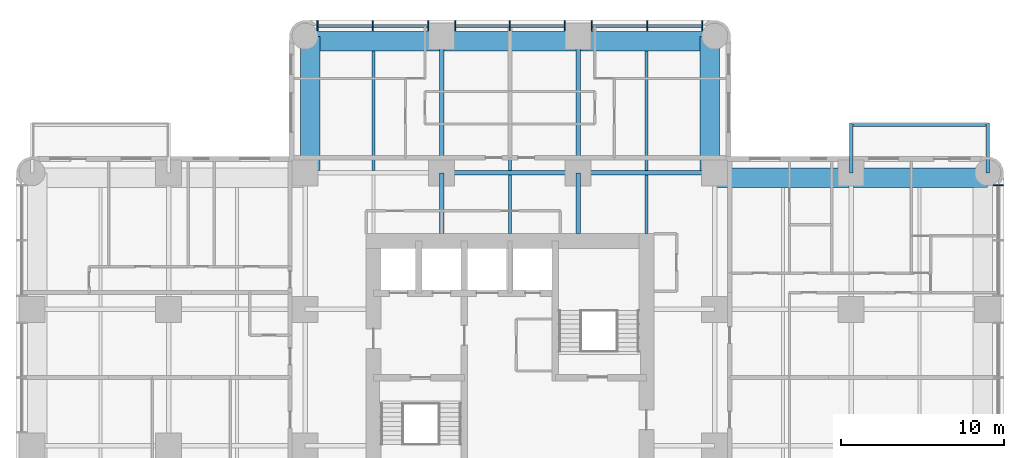
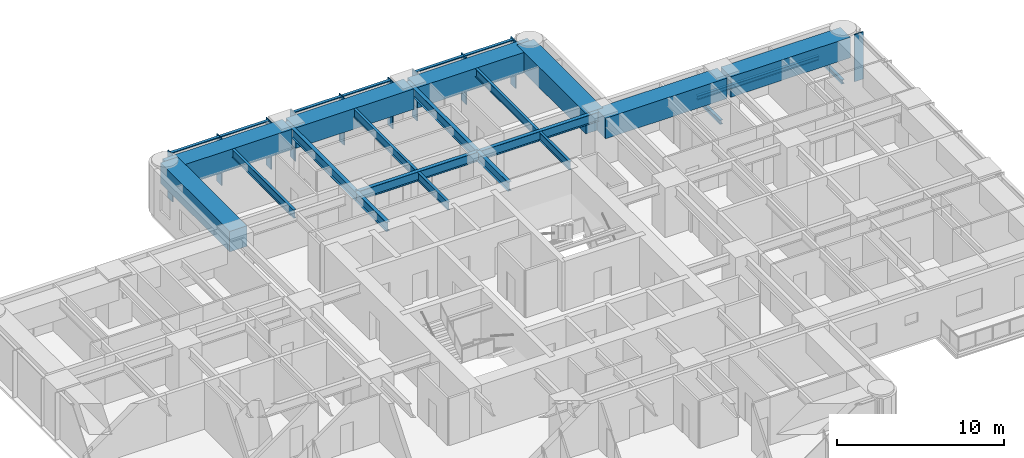
# One storey, part 4 of 15: 21 beams, 16 members, 2 elements without a shape of their own.
"""IFC4 building model written with IfcOpenShell, lengths in metres."""

from ifc_helpers import new_model, si_unit, direction, frame, origin, origin_2d, place, context, subcontext, project, spatial, rectangle, i_section, extrude, material, material_profile, profile_set, type_object, element, aggregate, save


model = new_model("IFC4")

# Units and contexts
model_context = context("Model", 3, precision=1e-05, world=origin(), true_north=direction((0.0, 1.0)))
body_context = subcontext(model_context, "Body", "Model", "MODEL_VIEW")
ifc_project = project(units=[si_unit("LENGTHUNIT", "METRE"), si_unit("AREAUNIT", "SQUARE_METRE"), si_unit("VOLUMEUNIT", "CUBIC_METRE"), si_unit("PLANEANGLEUNIT", "RADIAN"), si_unit("MASSUNIT", "GRAM", prefix="KILO")], contexts=[model_context])

# Site, building, storey
site_placement = place(None, origin())
site = spatial("IfcSite", under=ifc_project, at=site_placement, CompositionType="ELEMENT")
building_placement = place(site_placement, origin())
building = spatial("IfcBuilding", under=site, at=building_placement, Name="Torre Alcanfor", CompositionType="ELEMENT")
storey_placement = place(building_placement, frame((0.0, 0.0, 116.10009765625)))
storey = spatial("IfcBuildingStorey", under=building, at=storey_placement, Name="L29", CompositionType="ELEMENT", Elevation=116.10009765625)

# Beams
ifc_material_1 = material(Name="Steel ASTM A992 Grade 50", Category="steel")
ifc_material_profile_1 = material_profile(ifc_material_1, i_section(OverallWidth=0.205322265625, OverallDepth=0.309814453125, WebThickness=0.00927734375, FlangeThickness=0.016357421875, at=origin_2d()), Name="W12x50")
ifc_profile_set_1 = profile_set([ifc_material_profile_1], Name="Steel ASTM A992 Grade 50")
beam_type_1 = type_object("IfcBeamType", Name="Balcony cantilever beam W12x50", PredefinedType="BEAM", material=ifc_profile_set_1)
for number, where, z_axis, x_axis, name in (
    (1, (50.39990234375, 42.0, -0.35498046875), (0.0, 1.0, 0.0), (-1.0, 0.0, 0.0), "Balcony cantilever beam L29-E1 1"),
    (2, (58.800048828125, 42.0, -0.35498046875), (0.0, 1.0, 0.0), (-1.0, 0.0, 0.0), "Balcony cantilever beam L29-E1 2"),
):
    element("IfcBeam", number, at=place(storey_placement, frame(where, z_axis=z_axis, x_axis=x_axis)), inside=storey, type_object=beam_type_1, Name=name, PredefinedType="BEAM", context=body_context, shape_type="SweptSolid", body=[
        extrude(i_section(OverallWidth=0.205322265625, OverallDepth=0.309814453125, WebThickness=0.00927734375, FlangeThickness=0.016357421875, at=origin_2d()), origin(), (0.0, 0.0, 1.0), 3.050048828125),
    ])
ifc_material_2 = material(Name="Steel ASTM A992 Grade 50", Category="steel")
ifc_material_profile_2 = material_profile(ifc_material_2, i_section(OverallWidth=0.203369140625, OverallDepth=0.30224609375, WebThickness=0.007568359375, FlangeThickness=0.01318359375, at=origin_2d()), Name="W12x40")
ifc_profile_set_2 = profile_set([ifc_material_profile_2], Name="Steel ASTM A992 Grade 50")
beam_type_2 = type_object("IfcBeamType", Name="Balcony edge trimmer W12x40", PredefinedType="BEAM", material=ifc_profile_set_2)
beam_1_placement = place(storey_placement, frame((50.39990234375, 44.9482421875, -0.351318359375), z_axis=(1.0, 0.0, 0.0), x_axis=(0.0, 1.0, 0.0)))
element("IfcBeam", 3, at=beam_1_placement, inside=storey, type_object=beam_type_2, Name="Balcony edge trimmer L29-E1", PredefinedType="BEAM", context=body_context, shape_type="SweptSolid", body=[
    extrude(i_section(OverallWidth=0.203369140625, OverallDepth=0.30224609375, WebThickness=0.007568359375, FlangeThickness=0.01318359375, at=origin_2d()), origin(), (0.0, 0.0, 1.0), 8.400146484375),
])

# Curtain wall, member
ifc_material_3 = material(Name="Aluminium and glass", Category="aluminium")
curtain_wall_type = type_object("IfcCurtainWallType", Name="CW-A unitised apartment glazing with vertical FIN", PredefinedType="NOTDEFINED", material=ifc_material_3)
curtain_wall_1_placement = place(storey_placement, origin())
curtain_wall_1 = element("IfcCurtainWall", 4, at=curtain_wall_1_placement, inside=storey, type_object=curtain_wall_type, Name="Curtain wall CW-A L29 8", PredefinedType="NOTDEFINED")
ifc_material_4 = material(Name="Bronze anodised aluminium", Category="aluminium")
ifc_material_profile_3 = material_profile(ifc_material_4, rectangle(XDim=0.60009765625, YDim=0.06494140625, at=origin_2d()), Name="CW-A mullion 65x600")
ifc_profile_set_3 = profile_set([ifc_material_profile_3], Name="Bronze anodised aluminium")
member_type_1 = type_object("IfcMemberType", Name="CW-A mullion with vertical FIN 65x600", PredefinedType="MULLION", material=ifc_profile_set_3)
member_1_placement = place(storey_placement, frame((59.449951171875, 41.24267578125, 0.0), z_axis=(0.0, 0.0, 1.0), x_axis=(-1.0, 0.0, 0.0)))
member_1 = element("IfcMember", 5, at=member_1_placement, type_object=member_type_1, Name="CW-A mullion 3.3", PredefinedType="MULLION", context=body_context, shape_type="SweptSolid", body=[
    extrude(rectangle(XDim=0.60009765625, YDim=0.06494140625, at=origin_2d()), origin(), (0.0, 0.0, 1.0), 3.449951171875),
])
aggregate(curtain_wall_1, [member_1])

# Curtain wall, members
curtain_wall_2_placement = place(storey_placement, origin())
curtain_wall_2 = element("IfcCurtainWall", 6, at=curtain_wall_2_placement, inside=storey, type_object=curtain_wall_type, Name="Curtain wall CW-A L29 11", PredefinedType="NOTDEFINED")
member_2_placement = place(storey_placement, frame((41.24267578125, 51.050048828125, 0.0), z_axis=(0.0, 0.0, 1.0), x_axis=(0.0, -1.0, 0.0)))
member_2 = element("IfcMember", 7, at=member_2_placement, type_object=member_type_1, Name="CW-A mullion 1.1", PredefinedType="MULLION", context=body_context, shape_type="SweptSolid", body=[
    extrude(rectangle(XDim=0.60009765625, YDim=0.06494140625, at=origin_2d()), origin(), (0.0, 0.0, 1.0), 3.449951171875),
])
member_3_placement = place(storey_placement, frame((37.840087890625, 51.050048828125, 0.0), z_axis=(0.0, 0.0, 1.0), x_axis=(0.0, -1.0, 0.0)))
member_3 = element("IfcMember", 8, at=member_3_placement, type_object=member_type_1, Name="CW-A mullion 1.2", PredefinedType="MULLION", context=body_context, shape_type="SweptSolid", body=[
    extrude(rectangle(XDim=0.60009765625, YDim=0.06494140625, at=origin_2d()), origin(), (0.0, 0.0, 1.0), 3.449951171875),
])
member_4_placement = place(storey_placement, frame((34.4375, 51.050048828125, 0.0), z_axis=(0.0, 0.0, 1.0), x_axis=(0.0, -1.0, 0.0)))
member_4 = element("IfcMember", 9, at=member_4_placement, type_object=member_type_1, Name="CW-A mullion 1.3", PredefinedType="MULLION", context=body_context, shape_type="SweptSolid", body=[
    extrude(rectangle(XDim=0.60009765625, YDim=0.06494140625, at=origin_2d()), origin(), (0.0, 0.0, 1.0), 3.449951171875),
])
member_5_placement = place(storey_placement, frame((32.762451171875, 51.050048828125, 0.0), z_axis=(0.0, 0.0, 1.0), x_axis=(0.0, -1.0, 0.0)))
member_5 = element("IfcMember", 10, at=member_5_placement, type_object=member_type_1, Name="CW-A mullion 2.1", PredefinedType="MULLION", context=body_context, shape_type="SweptSolid", body=[
    extrude(rectangle(XDim=0.60009765625, YDim=0.06494140625, at=origin_2d()), origin(), (0.0, 0.0, 1.0), 3.449951171875),
])
member_6_placement = place(storey_placement, frame((29.39990234375, 51.050048828125, 0.0), z_axis=(0.0, 0.0, 1.0), x_axis=(0.0, -1.0, 0.0)))
member_6 = element("IfcMember", 11, at=member_6_placement, type_object=member_type_1, Name="CW-A mullion 2.2", PredefinedType="MULLION", context=body_context, shape_type="SweptSolid", body=[
    extrude(rectangle(XDim=0.60009765625, YDim=0.06494140625, at=origin_2d()), origin(), (0.0, 0.0, 1.0), 3.449951171875),
])
member_7_placement = place(storey_placement, frame((26.03759765625, 51.050048828125, 0.0), z_axis=(0.0, 0.0, 1.0), x_axis=(0.0, -1.0, 0.0)))
member_7 = element("IfcMember", 12, at=member_7_placement, type_object=member_type_1, Name="CW-A mullion 2.3", PredefinedType="MULLION", context=body_context, shape_type="SweptSolid", body=[
    extrude(rectangle(XDim=0.60009765625, YDim=0.06494140625, at=origin_2d()), origin(), (0.0, 0.0, 1.0), 3.449951171875),
])
member_8_placement = place(storey_placement, frame((24.362548828125, 51.050048828125, 0.0), z_axis=(0.0, 0.0, 1.0), x_axis=(0.0, -1.0, 0.0)))
member_8 = element("IfcMember", 13, at=member_8_placement, type_object=member_type_1, Name="CW-A mullion 3.1", PredefinedType="MULLION", context=body_context, shape_type="SweptSolid", body=[
    extrude(rectangle(XDim=0.60009765625, YDim=0.06494140625, at=origin_2d()), origin(), (0.0, 0.0, 1.0), 3.449951171875),
])
member_9_placement = place(storey_placement, frame((20.9599609375, 51.050048828125, 0.0), z_axis=(0.0, 0.0, 1.0), x_axis=(0.0, -1.0, 0.0)))
member_9 = element("IfcMember", 14, at=member_9_placement, type_object=member_type_1, Name="CW-A mullion 3.2", PredefinedType="MULLION", context=body_context, shape_type="SweptSolid", body=[
    extrude(rectangle(XDim=0.60009765625, YDim=0.06494140625, at=origin_2d()), origin(), (0.0, 0.0, 1.0), 3.449951171875),
])
member_10_placement = place(storey_placement, frame((17.557373046875, 51.050048828125, 0.0), z_axis=(0.0, 0.0, 1.0), x_axis=(0.0, -1.0, 0.0)))
member_10 = element("IfcMember", 15, at=member_10_placement, type_object=member_type_1, Name="CW-A mullion 3.3", PredefinedType="MULLION", context=body_context, shape_type="SweptSolid", body=[
    extrude(rectangle(XDim=0.60009765625, YDim=0.06494140625, at=origin_2d()), origin(), (0.0, 0.0, 1.0), 3.449951171875),
])
ifc_material_5 = material(Name="Extruded aluminium", Category="aluminium")
ifc_material_profile_4 = material_profile(ifc_material_5, rectangle(XDim=0.199951171875, YDim=0.06494140625, at=origin_2d()), Name="CW-A transom 200x65")
ifc_profile_set_4 = profile_set([ifc_material_profile_4], Name="Extruded aluminium")
member_type_2 = type_object("IfcMemberType", Name="CW-A transom 65x200", PredefinedType="USERDEFINED", material=ifc_profile_set_4)
member_11_placement = place(storey_placement, frame((41.210205078125, 51.050048828125, 3.41748046875), z_axis=(-1.0, 0.0, 0.0), x_axis=(0.0, -1.0, 0.0)))
member_11 = element("IfcMember", 16, at=member_11_placement, type_object=member_type_2, Name="CW-A transom 1.1.2", ObjectType="TRANSOM", PredefinedType="USERDEFINED", context=body_context, shape_type="SweptSolid", body=[
    extrude(rectangle(XDim=0.199951171875, YDim=0.06494140625, at=origin_2d()), origin(), (0.0, 0.0, 1.0), 3.337646484375),
])
member_12_placement = place(storey_placement, frame((37.8076171875, 51.050048828125, 3.41748046875), z_axis=(-1.0, 0.0, 0.0), x_axis=(0.0, -1.0, 0.0)))
member_12 = element("IfcMember", 17, at=member_12_placement, type_object=member_type_2, Name="CW-A transom 1.2.2", ObjectType="TRANSOM", PredefinedType="USERDEFINED", context=body_context, shape_type="SweptSolid", body=[
    extrude(rectangle(XDim=0.199951171875, YDim=0.06494140625, at=origin_2d()), origin(), (0.0, 0.0, 1.0), 3.337646484375),
])
member_13_placement = place(storey_placement, frame((32.72998046875, 51.050048828125, 3.41748046875), z_axis=(-1.0, 0.0, 0.0), x_axis=(0.0, -1.0, 0.0)))
member_13 = element("IfcMember", 18, at=member_13_placement, type_object=member_type_2, Name="CW-A transom 2.1.2", ObjectType="TRANSOM", PredefinedType="USERDEFINED", context=body_context, shape_type="SweptSolid", body=[
    extrude(rectangle(XDim=0.199951171875, YDim=0.06494140625, at=origin_2d()), origin(), (0.0, 0.0, 1.0), 3.29736328125),
])
member_14_placement = place(storey_placement, frame((29.367431640625, 51.050048828125, 3.41748046875), z_axis=(-1.0, 0.0, 0.0), x_axis=(0.0, -1.0, 0.0)))
member_14 = element("IfcMember", 19, at=member_14_placement, type_object=member_type_2, Name="CW-A transom 2.2.2", ObjectType="TRANSOM", PredefinedType="USERDEFINED", context=body_context, shape_type="SweptSolid", body=[
    extrude(rectangle(XDim=0.199951171875, YDim=0.06494140625, at=origin_2d()), origin(), (0.0, 0.0, 1.0), 3.29736328125),
])
member_15_placement = place(storey_placement, frame((24.330078125, 51.050048828125, 3.41748046875), z_axis=(-1.0, 0.0, 0.0), x_axis=(0.0, -1.0, 0.0)))
member_15 = element("IfcMember", 20, at=member_15_placement, type_object=member_type_2, Name="CW-A transom 3.1.2", ObjectType="TRANSOM", PredefinedType="USERDEFINED", context=body_context, shape_type="SweptSolid", body=[
    extrude(rectangle(XDim=0.199951171875, YDim=0.06494140625, at=origin_2d()), origin(), (0.0, 0.0, 1.0), 3.337646484375),
])
member_16_placement = place(storey_placement, frame((20.927490234375, 51.050048828125, 3.41748046875), z_axis=(-1.0, 0.0, 0.0), x_axis=(0.0, -1.0, 0.0)))
member_16 = element("IfcMember", 21, at=member_16_placement, type_object=member_type_2, Name="CW-A transom 3.2.2", ObjectType="TRANSOM", PredefinedType="USERDEFINED", context=body_context, shape_type="SweptSolid", body=[
    extrude(rectangle(XDim=0.199951171875, YDim=0.06494140625, at=origin_2d()), origin(), (0.0, 0.0, 1.0), 3.337646484375),
])
aggregate(curtain_wall_2, [member_2, member_3, member_4, member_11, member_12, member_5, member_6, member_7, member_13, member_14, member_8, member_9, member_10, member_15, member_16])

# Beams
ifc_material_6 = material(Name="Steel ASTM A992 Grade 50", Category="steel")
ifc_material_profile_5 = material_profile(ifc_material_6, i_section(OverallWidth=0.25390625, OverallDepth=0.683349609375, WebThickness=0.012451171875, FlangeThickness=0.01904296875, at=origin_2d()), Name="W27x94")
ifc_profile_set_5 = profile_set([ifc_material_profile_5], Name="Steel ASTM A992 Grade 50")
beam_type_3 = type_object("IfcBeamType", Name="Girder W27x94", PredefinedType="BEAM", material=ifc_profile_set_5)
beam_2_placement = place(storey_placement, frame((25.199951171875, 42.0, 3.108154296875), z_axis=(1.0, 0.0, 0.0), x_axis=(0.0, 1.0, 0.0)))
element("IfcBeam", 22, at=beam_2_placement, inside=storey, type_object=beam_type_3, Name="Beam 4H-5H under L30", PredefinedType="BEAM", context=body_context, shape_type="SweptSolid", body=[
    extrude(i_section(OverallWidth=0.25390625, OverallDepth=0.683349609375, WebThickness=0.012451171875, FlangeThickness=0.01904296875, at=origin_2d()), origin(), (0.0, 0.0, 1.0), 8.400146484375),
])
for number, where, z_axis, x_axis, name in (
    (23, (33.60009765625, 42.0, 3.108154296875), (1.0, 0.0, 0.0), (0.0, 1.0, 0.0), "Beam 5H-6H under L30"),
    (24, (25.199951171875, 42.0, 3.108154296875), (0.0, 1.0, 0.0), (-1.0, 0.0, 0.0), "Beam 4H-4J under L30"),
    (25, (33.60009765625, 42.0, 3.108154296875), (0.0, 1.0, 0.0), (-1.0, 0.0, 0.0), "Beam 5H-5J under L30"),
):
    element("IfcBeam", number, at=place(storey_placement, frame(where, z_axis=z_axis, x_axis=x_axis)), inside=storey, type_object=beam_type_3, Name=name, PredefinedType="BEAM", context=body_context, shape_type="SweptSolid", body=[
        extrude(i_section(OverallWidth=0.25390625, OverallDepth=0.683349609375, WebThickness=0.012451171875, FlangeThickness=0.01904296875, at=origin_2d()), origin(), (0.0, 0.0, 1.0), 8.39990234375),
    ])
ifc_material_7 = material(Name="Steel ASTM A992 Grade 50", Category="steel")
ifc_material_profile_6 = material_profile(ifc_material_7, i_section(OverallWidth=0.25390625, OverallDepth=0.683349609375, WebThickness=0.012451171875, FlangeThickness=0.01904296875, at=origin_2d()), Name="W27x94")
ifc_profile_set_6 = profile_set([ifc_material_profile_6], Name="Steel ASTM A992 Grade 50")
beam_type_4 = type_object("IfcBeamType", Name="Girder, part bay W27x94", PredefinedType="BEAM", material=ifc_profile_set_6)
for number, where, z_axis, x_axis, name in (
    (26, (25.199951171875, 42.0, 3.108154296875), (0.0, -1.0, 0.0), (1.0, 0.0, 0.0), "Beam 4H-438_25 under L30"),
    (27, (33.60009765625, 42.0, 3.108154296875), (0.0, -1.0, 0.0), (1.0, 0.0, 0.0), "Beam 5H-538_25 under L30"),
):
    element("IfcBeam", number, at=place(storey_placement, frame(where, z_axis=z_axis, x_axis=x_axis)), inside=storey, type_object=beam_type_4, Name=name, PredefinedType="BEAM", context=body_context, shape_type="SweptSolid", body=[
        extrude(i_section(OverallWidth=0.25390625, OverallDepth=0.683349609375, WebThickness=0.012451171875, FlangeThickness=0.01904296875, at=origin_2d()), origin(), (0.0, 0.0, 1.0), 3.75),
    ])
ifc_material_8 = material(Name="Concrete f'c 70 MPa", Category="concrete")
ifc_material_profile_7 = material_profile(ifc_material_8, rectangle(XDim=1.199951171875, YDim=1.5, at=origin_2d()), Name="1200x1500")
ifc_profile_set_7 = profile_set([ifc_material_profile_7], Name="Concrete f'c 70 MPa")
beam_type_5 = type_object("IfcBeamType", Name="RC perimeter beam 1200x1500", PredefinedType="BEAM", material=ifc_profile_set_7)
beam_3_placement = place(storey_placement, frame((41.873046875, 41.699951171875, 2.699951171875), z_axis=(1.0, 0.0, 0.0), x_axis=(0.0, 1.0, 0.0)))
element("IfcBeam", 28, at=beam_3_placement, inside=storey, type_object=beam_type_5, Name="Beam 6H-7H under L30", PredefinedType="BEAM", context=body_context, shape_type="SweptSolid", body=[
    extrude(rectangle(XDim=1.199951171875, YDim=1.5, at=origin_2d()), origin(), (0.0, 0.0, 1.0), 8.39990234375),
])
for number, where, z_axis, x_axis, name in (
    (29, (50.527099609375, 41.699951171875, 2.699951171875), (1.0, 0.0, 0.0), (0.0, 1.0, 0.0), "Beam 7H-8H under L30"),
    (30, (16.800048828125, 50.10009765625, 2.699951171875), (1.0, 0.0, 0.0), (0.0, 1.0, 0.0), "Beam 3J-4J under L30"),
):
    element("IfcBeam", number, at=place(storey_placement, frame(where, z_axis=z_axis, x_axis=x_axis)), inside=storey, type_object=beam_type_5, Name=name, PredefinedType="BEAM", context=body_context, shape_type="SweptSolid", body=[
        extrude(rectangle(XDim=1.199951171875, YDim=1.5, at=origin_2d()), origin(), (0.0, 0.0, 1.0), 8.27294921875),
    ])
beam_4_placement = place(storey_placement, frame((25.326904296875, 50.10009765625, 2.699951171875), z_axis=(1.0, 0.0, 0.0), x_axis=(0.0, 1.0, 0.0)))
element("IfcBeam", 31, at=beam_4_placement, inside=storey, type_object=beam_type_5, Name="Beam 4J-5J under L30", PredefinedType="BEAM", context=body_context, shape_type="SweptSolid", body=[
    extrude(rectangle(XDim=1.199951171875, YDim=1.5, at=origin_2d()), origin(), (0.0, 0.0, 1.0), 8.14599609375),
])
for number, where, z_axis, x_axis, name in (
    (32, (33.72705078125, 50.10009765625, 2.699951171875), (1.0, 0.0, 0.0), (0.0, 1.0, 0.0), "Beam 5J-6J under L30"),
    (33, (17.10009765625, 42.126953125, 2.699951171875), (0.0, 1.0, 0.0), (-1.0, 0.0, 0.0), "Beam 3H-3J under L30"),
    (34, (41.699951171875, 42.126953125, 2.699951171875), (0.0, 1.0, 0.0), (-1.0, 0.0, 0.0), "Beam 6H-6J under L30"),
):
    element("IfcBeam", number, at=place(storey_placement, frame(where, z_axis=z_axis, x_axis=x_axis)), inside=storey, type_object=beam_type_5, Name=name, PredefinedType="BEAM", context=body_context, shape_type="SweptSolid", body=[
        extrude(rectangle(XDim=1.199951171875, YDim=1.5, at=origin_2d()), origin(), (0.0, 0.0, 1.0), 8.27294921875),
    ])
ifc_material_9 = material(Name="Steel ASTM A992 Grade 50", Category="steel")
ifc_material_profile_8 = material_profile(ifc_material_9, i_section(OverallWidth=0.1787109375, OverallDepth=0.60205078125, WebThickness=0.010986328125, FlangeThickness=0.014892578125, at=origin_2d()), Name="W24x62")
ifc_profile_set_8 = profile_set([ifc_material_profile_8], Name="Steel ASTM A992 Grade 50")
beam_type_6 = type_object("IfcBeamType", Name="Secondary beam W24x62", PredefinedType="BEAM", material=ifc_profile_set_8)
for number, where, z_axis, x_axis, name in (
    (35, (21.0, 42.126953125, 3.14892578125), (0.0, 1.0, 0.0), (-1.0, 0.0, 0.0), "Beam 21H-21J under L30"),
    (36, (29.39990234375, 42.126953125, 3.14892578125), (0.0, 1.0, 0.0), (-1.0, 0.0, 0.0), "Beam 29_4H-29_4J under L30"),
    (37, (37.800048828125, 42.126953125, 3.14892578125), (0.0, 1.0, 0.0), (-1.0, 0.0, 0.0), "Beam 37_8H-37_8J under L30"),
):
    element("IfcBeam", number, at=place(storey_placement, frame(where, z_axis=z_axis, x_axis=x_axis)), inside=storey, type_object=beam_type_6, Name=name, PredefinedType="BEAM", context=body_context, shape_type="SweptSolid", body=[
        extrude(i_section(OverallWidth=0.1787109375, OverallDepth=0.60205078125, WebThickness=0.010986328125, FlangeThickness=0.014892578125, at=origin_2d()), origin(), (0.0, 0.0, 1.0), 7.373046875),
    ])
ifc_material_10 = material(Name="Steel ASTM A992 Grade 50", Category="steel")
ifc_material_profile_9 = material_profile(ifc_material_10, i_section(OverallWidth=0.1787109375, OverallDepth=0.60205078125, WebThickness=0.010986328125, FlangeThickness=0.014892578125, at=origin_2d()), Name="W24x62")
ifc_profile_set_9 = profile_set([ifc_material_profile_9], Name="Steel ASTM A992 Grade 50")
beam_type_7 = type_object("IfcBeamType", Name="Secondary beam, part bay W24x62", PredefinedType="BEAM", material=ifc_profile_set_9)
for number, where, z_axis, x_axis, name in (
    (38, (29.39990234375, 38.25, 3.14892578125), (0.0, 1.0, 0.0), (-1.0, 0.0, 0.0), "Beam 29_438_25-29_4H under L30"),
    (39, (37.800048828125, 38.25, 3.14892578125), (0.0, 1.0, 0.0), (-1.0, 0.0, 0.0), "Beam 37_838_25-37_8H under L30"),
):
    element("IfcBeam", number, at=place(storey_placement, frame(where, z_axis=z_axis, x_axis=x_axis)), inside=storey, type_object=beam_type_7, Name=name, PredefinedType="BEAM", context=body_context, shape_type="SweptSolid", body=[
        extrude(i_section(OverallWidth=0.1787109375, OverallDepth=0.60205078125, WebThickness=0.010986328125, FlangeThickness=0.014892578125, at=origin_2d()), origin(), (0.0, 0.0, 1.0), 3.623046875),
    ])

save(model, "model.ifc")
